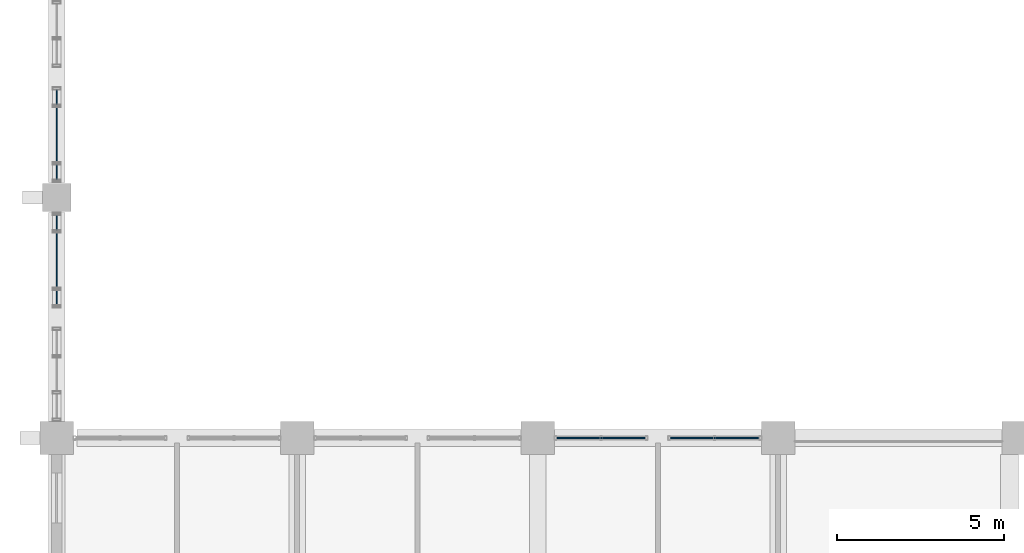
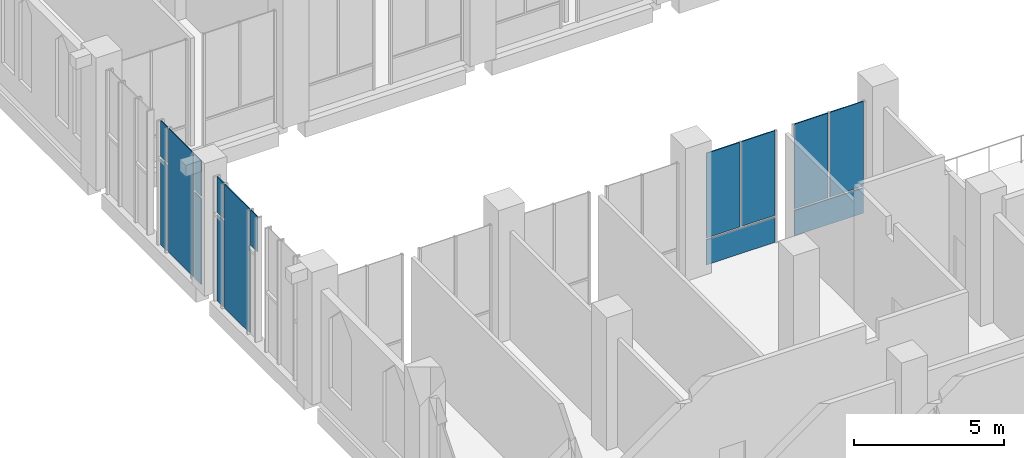
# One storey, part 22 of 48: 15 plates, 4 elements without a shape of their own.
"""IFC4 building model written with IfcOpenShell, lengths in metres."""

from ifc_helpers import new_model, si_unit, direction, frame, origin, origin_2d, place, context, subcontext, project, spatial, rectangle, extrude, material, layer, layer_set, type_object, element, aggregate, save


model = new_model("IFC4")

# Units and contexts
model_context = context("Model", 3, precision=1e-05, world=origin(), true_north=direction((0.0, 1.0)))
body_context = subcontext(model_context, "Body", "Model", "MODEL_VIEW")
ifc_project = project(units=[si_unit("LENGTHUNIT", "METRE"), si_unit("AREAUNIT", "SQUARE_METRE"), si_unit("VOLUMEUNIT", "CUBIC_METRE"), si_unit("PLANEANGLEUNIT", "RADIAN"), si_unit("MASSUNIT", "GRAM", prefix="KILO")], contexts=[model_context])

# Site, building, storey
site_placement = place(None, origin())
site = spatial("IfcSite", under=ifc_project, at=site_placement, CompositionType="ELEMENT")
building_placement = place(site_placement, origin())
building = spatial("IfcBuilding", under=site, at=building_placement, Name="Silangan Lancet Faculty of Sciences", CompositionType="ELEMENT")
storey_placement = place(building_placement, frame((0.0, 0.0, 6.0)))
storey = spatial("IfcBuildingStorey", under=building, at=storey_placement, Name="L01", CompositionType="ELEMENT", Elevation=6.0)

# Curtain wall, plates
ifc_material_1 = material(Name="Aluminium framed curtain wall with insulated glass", Category="aluminium")
curtain_wall_type_1 = type_object("IfcCurtainWallType", Name="CW6 West window middle bays", PredefinedType="NOTDEFINED", material=ifc_material_1)
curtain_wall_1_placement = place(storey_placement, origin())
curtain_wall_1 = element("IfcCurtainWall", 1, at=curtain_wall_1_placement, inside=storey, type_object=curtain_wall_type_1, Name="CW6 West window L01 bay 2", PredefinedType="NOTDEFINED")
ifc_material_2 = material(Name="Insulated glass unit 8+16+8 low-emissivity", Category="glass")
ifc_layer_1 = layer(ifc_material_2, 0.031982421875)
ifc_layer_set_1 = layer_set([ifc_layer_1], Name="Insulated glass unit 8+16+8 low-emissivity")
plate_type_1 = type_object("IfcPlateType", Name="CP1 Panel vision glass 32", PredefinedType="CURTAIN_PANEL", material=ifc_layer_set_1)
plate_1_placement = place(storey_placement, frame((0.0, 25.800048828125, 3.35009765625), z_axis=(0.0, 0.0, 1.0), x_axis=(0.0, 1.0, 0.0)))
plate_1 = element("IfcPlate", 2, at=plate_1_placement, type_object=plate_type_1, Name="CW6 West window L01 bay 2 panel 3", PredefinedType="CURTAIN_PANEL", context=body_context, shape_type="SweptSolid", body=[
    extrude(rectangle(XDim=0.449951171875, YDim=0.031982421875, at=origin_2d()), origin(), (0.0, 0.0, 1.0), 1.449951171875),
])
plate_2_placement = place(storey_placement, frame((0.0, 28.050048828125, 3.35009765625), z_axis=(0.0, 0.0, 1.0), x_axis=(0.0, 1.0, 0.0)))
plate_2 = element("IfcPlate", 3, at=plate_2_placement, type_object=plate_type_1, Name="CW6 West window L01 bay 2 panel 4", PredefinedType="CURTAIN_PANEL", context=body_context, shape_type="SweptSolid", body=[
    extrude(rectangle(XDim=0.449951171875, YDim=0.031982421875, at=origin_2d()), origin(), (0.0, 0.0, 1.0), 1.449951171875),
])

curtain_wall_2_placement = place(storey_placement, origin())
curtain_wall_2 = element("IfcCurtainWall", 4, at=curtain_wall_2_placement, inside=storey, type_object=curtain_wall_type_1, Name="CW6 West window L01 bay 3", PredefinedType="NOTDEFINED")
plate_3_placement = place(storey_placement, frame((0.0, 29.550048828125, 3.35009765625), z_axis=(0.0, 0.0, 1.0), x_axis=(0.0, 1.0, 0.0)))
plate_3 = element("IfcPlate", 5, at=plate_3_placement, type_object=plate_type_1, Name="CW6 West window L01 bay 3 panel 3", PredefinedType="CURTAIN_PANEL", context=body_context, shape_type="SweptSolid", body=[
    extrude(rectangle(XDim=0.449951171875, YDim=0.031982421875, at=origin_2d()), origin(), (0.0, 0.0, 1.0), 1.449951171875),
])
plate_4_placement = place(storey_placement, frame((0.0, 31.7998046875, 3.35009765625), z_axis=(0.0, 0.0, 1.0), x_axis=(0.0, 1.0, 0.0)))
plate_4 = element("IfcPlate", 6, at=plate_4_placement, type_object=plate_type_1, Name="CW6 West window L01 bay 3 panel 4", PredefinedType="CURTAIN_PANEL", context=body_context, shape_type="SweptSolid", body=[
    extrude(rectangle(XDim=0.449951171875, YDim=0.031982421875, at=origin_2d()), origin(), (0.0, 0.0, 1.0), 1.449951171875),
])

# Plate
ifc_material_3 = material(Name="Laminated insulated glass unit 10.76+14+8", Category="glass")
ifc_layer_2 = layer(ifc_material_3, 0.035888671875)
ifc_layer_set_2 = layer_set([ifc_layer_2], Name="Laminated insulated glass unit 10.76+14+8")
plate_type_2 = type_object("IfcPlateType", Name="CP2 Panel laminated glass 36", PredefinedType="CURTAIN_PANEL", material=ifc_layer_set_2)
plate_5_placement = place(storey_placement, frame((0.0, 28.050048828125, -0.25), z_axis=(0.0, 0.0, 1.0), x_axis=(0.0, 1.0, 0.0)))
plate_5 = element("IfcPlate", 7, at=plate_5_placement, type_object=plate_type_2, Name="CW6 West window L01 bay 2 panel 2", PredefinedType="CURTAIN_PANEL", context=body_context, shape_type="SweptSolid", body=[
    extrude(rectangle(XDim=0.449951171875, YDim=0.035888671875, at=origin_2d()), origin(), (0.0, 0.0, 1.0), 3.5),
])

plate_6_placement = place(storey_placement, frame((0.0, 26.925048828125, -0.25), z_axis=(0.0, 0.0, 1.0), x_axis=(0.0, 1.0, 0.0)))
plate_6 = element("IfcPlate", 8, at=plate_6_placement, type_object=plate_type_2, Name="CW6 West window L01 bay 2 panel 5", PredefinedType="CURTAIN_PANEL", context=body_context, shape_type="SweptSolid", body=[
    extrude(rectangle(XDim=1.64990234375, YDim=0.035888671875, at=origin_2d()), origin(), (0.0, 0.0, 1.0), 5.050048828125),
])

aggregate(curtain_wall_1, [plate_5, plate_1, plate_2, plate_6])

plate_7_placement = place(storey_placement, frame((0.0, 29.550048828125, -0.25), z_axis=(0.0, 0.0, 1.0), x_axis=(0.0, 1.0, 0.0)))
plate_7 = element("IfcPlate", 9, at=plate_7_placement, type_object=plate_type_2, Name="CW6 West window L01 bay 3 panel 1", PredefinedType="CURTAIN_PANEL", context=body_context, shape_type="SweptSolid", body=[
    extrude(rectangle(XDim=0.449951171875, YDim=0.035888671875, at=origin_2d()), origin(), (0.0, 0.0, 1.0), 3.5),
])

plate_8_placement = place(storey_placement, frame((0.0, 31.7998046875, -0.25), z_axis=(0.0, 0.0, 1.0), x_axis=(0.0, 1.0, 0.0)))
plate_8 = element("IfcPlate", 10, at=plate_8_placement, type_object=plate_type_2, Name="CW6 West window L01 bay 3 panel 2", PredefinedType="CURTAIN_PANEL", context=body_context, shape_type="SweptSolid", body=[
    extrude(rectangle(XDim=0.449951171875, YDim=0.035888671875, at=origin_2d()), origin(), (0.0, 0.0, 1.0), 3.5),
])

plate_9_placement = place(storey_placement, frame((0.0, 30.675048828125, -0.25), z_axis=(0.0, 0.0, 1.0), x_axis=(0.0, 1.0, 0.0)))
plate_9 = element("IfcPlate", 11, at=plate_9_placement, type_object=plate_type_2, Name="CW6 West window L01 bay 3 panel 5", PredefinedType="CURTAIN_PANEL", context=body_context, shape_type="SweptSolid", body=[
    extrude(rectangle(XDim=1.64990234375, YDim=0.035888671875, at=origin_2d()), origin(), (0.0, 0.0, 1.0), 5.050048828125),
])

aggregate(curtain_wall_2, [plate_7, plate_8, plate_3, plate_4, plate_9])

# Curtain wall, plates
ifc_material_4 = material(Name="Aluminium framed curtain wall with insulated glass", Category="aluminium")
curtain_wall_type_2 = type_object("IfcCurtainWallType", Name="CW2 Atrium fire-resisting screen", PredefinedType="NOTDEFINED", material=ifc_material_4)
curtain_wall_3_placement = place(storey_placement, origin())
curtain_wall_3 = element("IfcCurtainWall", 12, at=curtain_wall_3_placement, inside=storey, type_object=curtain_wall_type_2, Name="CW2 Atrium south L01 bay 1", PredefinedType="NOTDEFINED")
ifc_material_5 = material(Name="Fire-resisting glass unit 40 mm, integrity E", Category="glass")
ifc_layer_3 = layer(ifc_material_5, 0.0400390625)
ifc_layer_set_3 = layer_set([ifc_layer_3], Name="Fire-resisting glass unit 40 mm, integrity E")
plate_type_3 = type_object("IfcPlateType", Name="CP3 Panel fire-resisting glass 40", PredefinedType="CURTAIN_PANEL", material=ifc_layer_set_3)
plate_10_placement = place(storey_placement, frame((19.699951171875, 21.60009765625, 0.0), z_axis=(0.0, 0.0, 1.0), x_axis=(-1.0, 0.0, 0.0)))
plate_10 = element("IfcPlate", 13, at=plate_10_placement, type_object=plate_type_3, Name="CW2 Atrium south L01 bay 1 panel 1", PredefinedType="CURTAIN_PANEL", context=body_context, shape_type="SweptSolid", body=[
    extrude(rectangle(XDim=2.64990234375, YDim=0.0400390625, at=origin_2d()), origin(), (0.0, 0.0, 1.0), 1.02490234375),
])
plate_11_placement = place(storey_placement, frame((20.38134765625, 21.60009765625, 1.10009765625), z_axis=(0.0, 0.0, 1.0), x_axis=(-1.0, 0.0, 0.0)))
plate_11 = element("IfcPlate", 14, at=plate_11_placement, type_object=plate_type_3, Name="CW2 Atrium south L01 bay 1 panel 2", PredefinedType="CURTAIN_PANEL", context=body_context, shape_type="SweptSolid", body=[
    extrude(rectangle(XDim=1.28759765625, YDim=0.0400390625, at=origin_2d()), origin(), (0.0, 0.0, 1.0), 3.449951171875),
])
plate_12_placement = place(storey_placement, frame((19.018798828125, 21.60009765625, 1.10009765625), z_axis=(0.0, 0.0, 1.0), x_axis=(-1.0, 0.0, 0.0)))
plate_12 = element("IfcPlate", 15, at=plate_12_placement, type_object=plate_type_3, Name="CW2 Atrium south L01 bay 1 panel 3", PredefinedType="CURTAIN_PANEL", context=body_context, shape_type="SweptSolid", body=[
    extrude(rectangle(XDim=1.28759765625, YDim=0.0400390625, at=origin_2d()), origin(), (0.0, 0.0, 1.0), 3.449951171875),
])
aggregate(curtain_wall_3, [plate_10, plate_11, plate_12])

curtain_wall_4_placement = place(storey_placement, origin())
curtain_wall_4 = element("IfcCurtainWall", 16, at=curtain_wall_4_placement, inside=storey, type_object=curtain_wall_type_2, Name="CW2 Atrium south L01 bay 2", PredefinedType="NOTDEFINED")
plate_13_placement = place(storey_placement, frame((16.300048828125, 21.60009765625, 0.0), z_axis=(0.0, 0.0, 1.0), x_axis=(-1.0, 0.0, 0.0)))
plate_13 = element("IfcPlate", 17, at=plate_13_placement, type_object=plate_type_3, Name="CW2 Atrium south L01 bay 2 panel 1", PredefinedType="CURTAIN_PANEL", context=body_context, shape_type="SweptSolid", body=[
    extrude(rectangle(XDim=2.64990234375, YDim=0.0400390625, at=origin_2d()), origin(), (0.0, 0.0, 1.0), 1.02490234375),
])
plate_14_placement = place(storey_placement, frame((16.981201171875, 21.60009765625, 1.10009765625), z_axis=(0.0, 0.0, 1.0), x_axis=(-1.0, 0.0, 0.0)))
plate_14 = element("IfcPlate", 18, at=plate_14_placement, type_object=plate_type_3, Name="CW2 Atrium south L01 bay 2 panel 2", PredefinedType="CURTAIN_PANEL", context=body_context, shape_type="SweptSolid", body=[
    extrude(rectangle(XDim=1.28759765625, YDim=0.0400390625, at=origin_2d()), origin(), (0.0, 0.0, 1.0), 3.449951171875),
])
plate_15_placement = place(storey_placement, frame((15.61865234375, 21.60009765625, 1.10009765625), z_axis=(0.0, 0.0, 1.0), x_axis=(-1.0, 0.0, 0.0)))
plate_15 = element("IfcPlate", 19, at=plate_15_placement, type_object=plate_type_3, Name="CW2 Atrium south L01 bay 2 panel 3", PredefinedType="CURTAIN_PANEL", context=body_context, shape_type="SweptSolid", body=[
    extrude(rectangle(XDim=1.28759765625, YDim=0.0400390625, at=origin_2d()), origin(), (0.0, 0.0, 1.0), 3.449951171875),
])
aggregate(curtain_wall_4, [plate_13, plate_14, plate_15])

save(model, "model.ifc")
